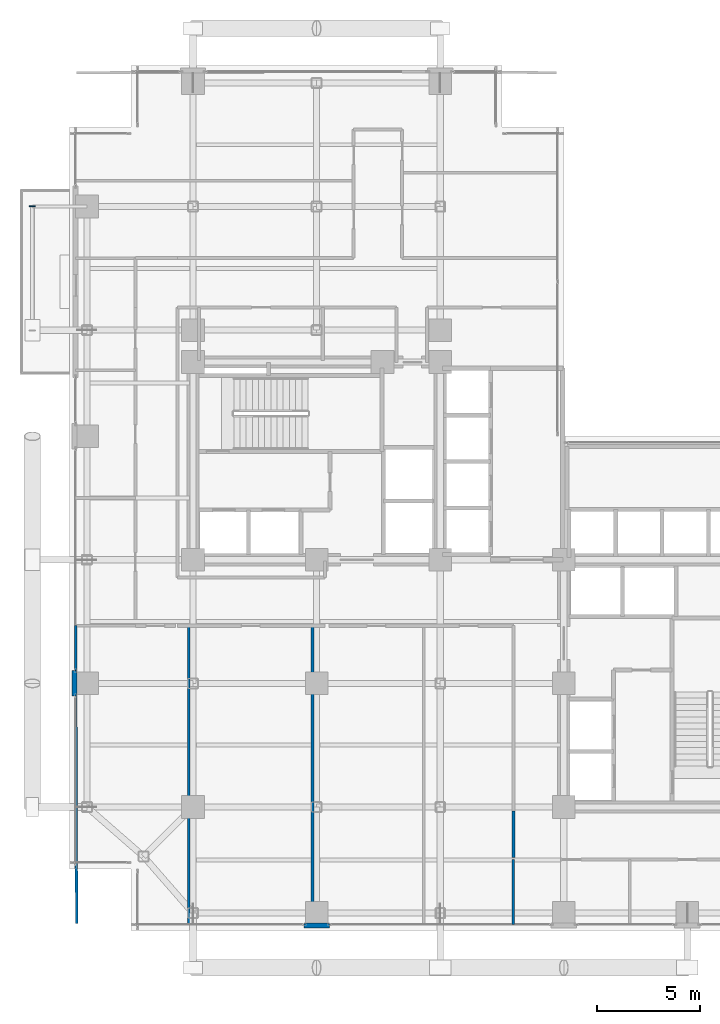
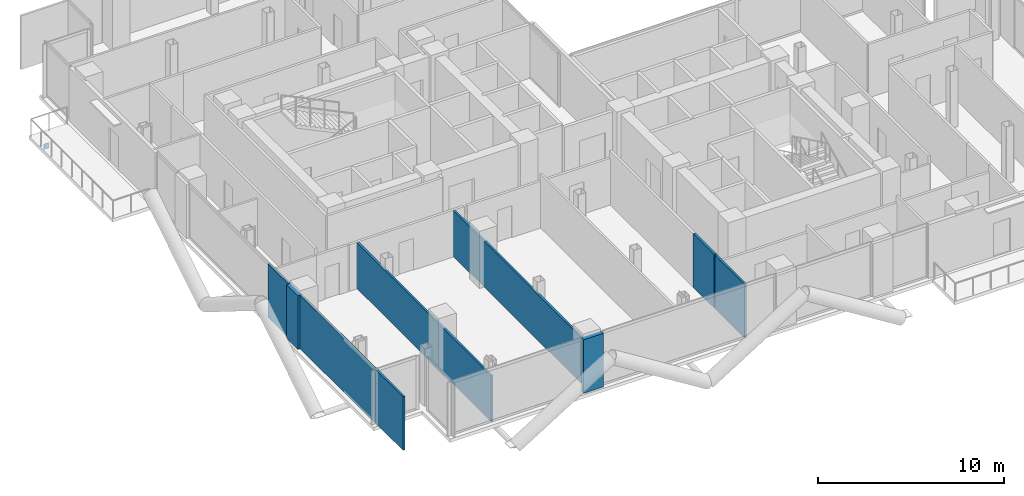
# One storey, part 21 of 28: 8 walls, 1 plate.
"""IFC4 building model written with IfcOpenShell, lengths in metres."""

from ifc_helpers import new_model, si_unit, direction, frame, frame_2d, origin, origin_2d, place, context, subcontext, project, spatial, rectangle, extrude, material, layer, layer_set, type_object, element, save


model = new_model("IFC4")

# Units and contexts
model_context = context("Model", 3, precision=1e-05, world=origin(), true_north=direction((0.0, 1.0)))
body_context = subcontext(model_context, "Body", "Model", "MODEL_VIEW")
ifc_project = project(units=[si_unit("LENGTHUNIT", "METRE"), si_unit("AREAUNIT", "SQUARE_METRE"), si_unit("VOLUMEUNIT", "CUBIC_METRE"), si_unit("PLANEANGLEUNIT", "RADIAN"), si_unit("MASSUNIT", "GRAM", prefix="KILO"), si_unit("THERMODYNAMICTEMPERATUREUNIT", "KELVIN"), si_unit("POWERUNIT", "WATT")], contexts=[model_context])

# Site, building, storey
site_placement = place(None, origin())
site = spatial("IfcSite", under=ifc_project, at=site_placement, CompositionType="ELEMENT")
building_placement = place(site_placement, origin())
building = spatial("IfcBuilding", under=site, at=building_placement, Name="Svarakhadi Broadcast Tower", CompositionType="ELEMENT")
storey_placement = place(building_placement, frame((0.0, 0.0, 103.35009765625)))
storey = spatial("IfcBuildingStorey", under=building, at=storey_placement, Name="L24", CompositionType="ELEMENT", Elevation=103.35009765625)

# Plate
ifc_material_1 = material(Name="Steel S460ML (IS 2062 E450BR)", Category="steel")
ifc_layer_1 = layer(ifc_material_1, 0.028076171875)
ifc_layer_set_1 = layer_set([ifc_layer_1], Name="Steel S460ML (IS 2062 E450BR)")
plate_type = type_object("IfcPlateType", Name="Cap_Plate_CP02", PredefinedType="USERDEFINED", material=ifc_layer_set_1)
plate_placement = place(storey_placement, frame((-1.800048828125, 35.1650390625, -0.55517578125), z_axis=(0.0, 0.0, 1.0), x_axis=(1.0, 0.0, 0.0)))
element("IfcPlate", 1, at=plate_placement, inside=storey, type_object=plate_type, Name="L24 Balcony Spandrel End Cap Plate 2F-B", ObjectType="FLANGE_PLATE", PredefinedType="USERDEFINED", context=body_context, shape_type="SweptSolid", body=[
    extrude(rectangle(XDim=0.300048828125, YDim=0.0400390625, at=origin_2d()), origin(), (0.0, 0.0, 1.0), 0.360107421875),
])

# Walls
ifc_material_2 = material(Name="Concrete C40/50 (IS 456 M50)", Category="concrete")
ifc_layer_2 = layer(ifc_material_2, 0.239990234375)
ifc_layer_set_2 = layer_set([ifc_layer_2], Name="Concrete C40/50 (IS 456 M50)")
wall_type_1 = type_object("IfcWallType", Name="Wall_Ext_240", PredefinedType="SOLIDWALL", material=ifc_layer_set_2)
for number, where, z_axis, x_axis, name in (
    (2, (0.239990234375, 11.385009765625, 0.0), (0.0, 0.0, 1.0), (0.0, 1.0, 0.0), "L24 Perimeter Bronze Spandrel Closure Wall 01"),
    (3, (12.614990234375, 0.239990234375, 0.0), (0.0, 0.0, 1.0), (-1.0, 0.0, 0.0), "L24 Perimeter Bronze Spandrel Closure Wall 08"),
):
    element("IfcWall", number, at=place(storey_placement, frame(where, z_axis=z_axis, x_axis=x_axis)), inside=storey, type_object=wall_type_1, Name=name, PredefinedType="SOLIDWALL", context=body_context, shape_type="SweptSolid", body=[
        extrude(rectangle(XDim=1.22998046875, YDim=0.239990234375, at=frame_2d((0.614990234375, 0.0))), origin(), (0.0, 0.0, 1.0), 3.52490234375),
    ])
ifc_material_3 = material(Name="Fire-Rated Moisture-Resistant Gypsum Board Partition", Category="gypsum")
ifc_layer_3 = layer(ifc_material_3, 0.125)
ifc_layer_set_3 = layer_set([ifc_layer_3], Name="Fire-Rated Moisture-Resistant Gypsum Board Partition")
wall_type_2 = type_object("IfcWallType", Name="Wall_Part_125", PredefinedType="PARTITIONING", material=ifc_layer_set_3)
wall_1_placement = place(storey_placement, frame((0.35009765625, 0.35009765625, 0.0), z_axis=(0.0, 0.0, 1.0), x_axis=(-0.003473507221, 0.999993967356, 0.0)))
element("IfcWall", 4, at=wall_1_placement, inside=storey, type_object=wall_type_2, Name="L24 Marathi Regional News Desk Wall", PredefinedType="PARTITIONING", context=body_context, shape_type="SweptSolid", body=[
    extrude(rectangle(XDim=11.034912109375, YDim=0.125, at=frame_2d((5.517578125, 0.0))), origin(), (0.0, 0.0, 1.0), 3.52490234375),
])
wall_2_placement = place(storey_placement, frame((0.3076171875, 12.614990234375, 0.0), z_axis=(0.0, 0.0, 1.0), x_axis=(-0.003463666374, 0.99999400149, 0.0)))
element("IfcWall", 5, at=wall_2_placement, inside=storey, type_object=wall_type_2, Name="L24 Marathi Regional News Desk Wall", PredefinedType="PARTITIONING", context=body_context, shape_type="SweptSolid", body=[
    extrude(rectangle(XDim=2.18505859375, YDim=0.125, at=frame_2d((1.092529296875, 0.0))), origin(), (0.0, 0.0, 1.0), 3.52490234375),
])
for number, where, z_axis, x_axis, name in (
    (6, (5.800048828125, 0.300048828125, 0.0), (0.0, 0.0, 1.0), (0.0, 1.0, 0.0), "L24 Marathi Regional News Desk Wall"),
    (7, (11.800048828125, 0.300048828125, 0.0), (0.0, 0.0, 1.0), (0.0, 1.0, 0.0), "L24 Konkani Cultural Broadcast Office Wall"),
):
    element("IfcWall", number, at=place(storey_placement, frame(where, z_axis=z_axis, x_axis=x_axis)), inside=storey, type_object=wall_type_2, Name=name, PredefinedType="PARTITIONING", context=body_context, shape_type="SweptSolid", body=[
        extrude(rectangle(XDim=14.5, YDim=0.125, at=frame_2d((7.25, 0.0))), origin(), (0.0, 0.0, 1.0), 3.016845703125),
    ])
wall_3_placement = place(storey_placement, frame((21.550048828125, 0.300048828125, 0.0), z_axis=(0.0, 0.0, 1.0), x_axis=(0.0, 1.0, 0.0)))
element("IfcWall", 8, at=wall_3_placement, inside=storey, type_object=wall_type_2, Name="L24 South Harbour Editorial Desk Wall", PredefinedType="PARTITIONING", context=body_context, shape_type="SweptSolid", body=[
    extrude(rectangle(XDim=3.14990234375, YDim=0.125, at=frame_2d((1.574951171875, 0.0))), origin(), (0.0, 0.0, 1.0), 3.52490234375),
])
ifc_material_4 = material(Name="Autoclaved Aerated Concrete Blockwork 150 mm", Category="masonry")
ifc_layer_4 = layer(ifc_material_4, 0.14990234375)
ifc_layer_set_4 = layer_set([ifc_layer_4], Name="Autoclaved Aerated Concrete Blockwork 150 mm")
wall_type_3 = type_object("IfcWallType", Name="Wall_Part_150", PredefinedType="PARTITIONING", material=ifc_layer_set_4)
wall_4_placement = place(storey_placement, frame((21.550048828125, 3.550048828125, 0.0), z_axis=(0.0, 0.0, 1.0), x_axis=(0.0, 1.0, 0.0)))
element("IfcWall", 9, at=wall_4_placement, inside=storey, type_object=wall_type_3, Name="L24 Broadcast Corridor Wall", PredefinedType="PARTITIONING", context=body_context, shape_type="SweptSolid", body=[
    extrude(rectangle(XDim=2.25, YDim=0.14990234375, at=frame_2d((1.125, 0.0))), origin(), (0.0, 0.0, 1.0), 3.52490234375),
])

save(model, "model.ifc")
